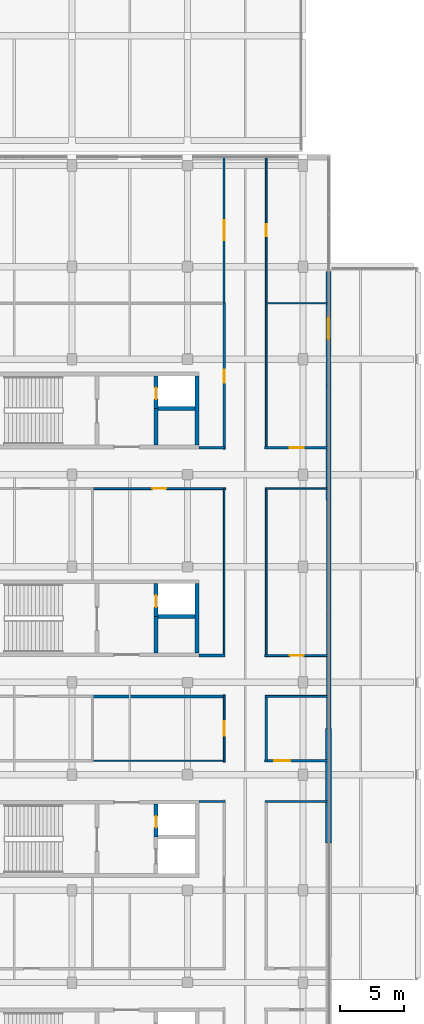
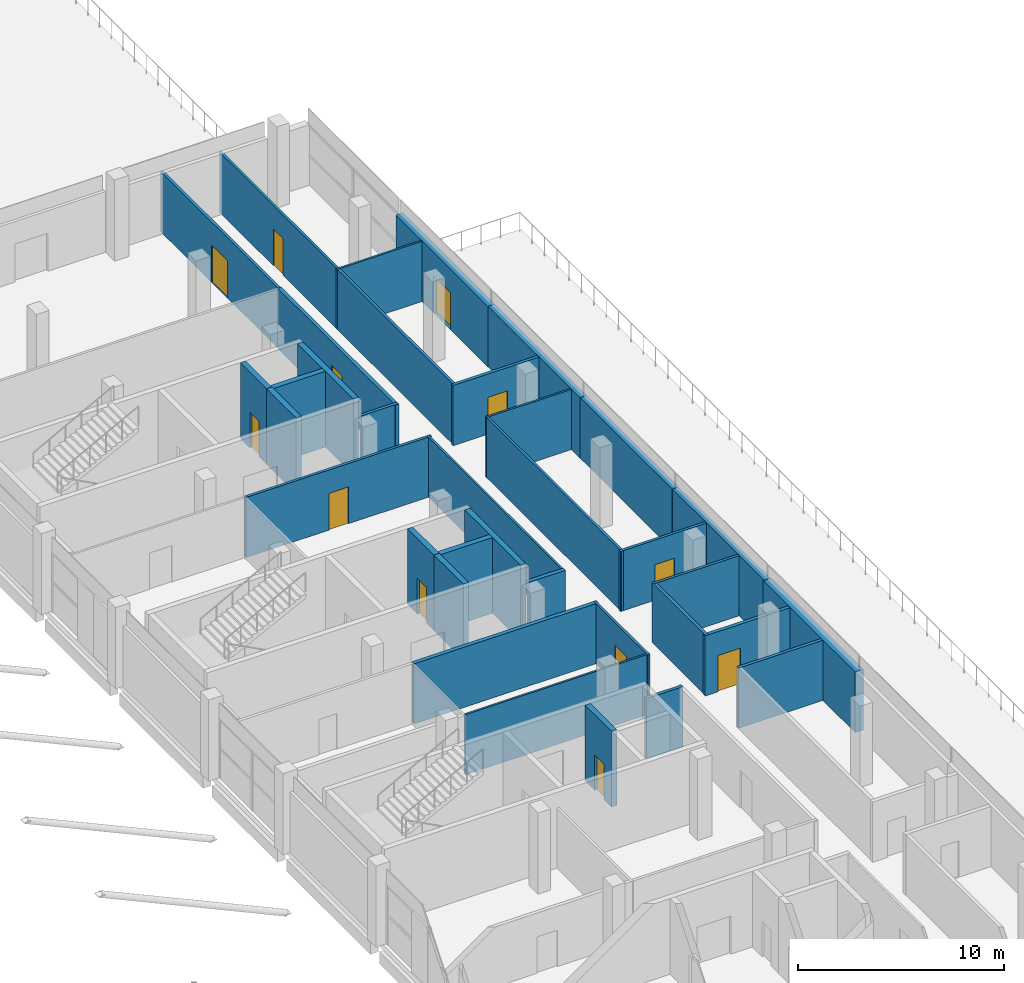
# One storey, part 57 of 82: 35 walls, 12 doors, 12 openings.
"""IFC4 building model written with IfcOpenShell, lengths in metres."""

from ifc_helpers import new_model, si_unit, direction, frame, frame_2d, origin, place, context, subcontext, project, spatial, rectangle, extrude, material, layer, layer_set, type_object, element, fill, save


model = new_model("IFC4")

# Units and contexts
model_context = context("Model", 3, precision=1e-05, world=origin(), true_north=direction((0.0, 1.0)))
body_context = subcontext(model_context, "Body", "Model", "MODEL_VIEW")
ifc_project = project(units=[si_unit("LENGTHUNIT", "METRE"), si_unit("AREAUNIT", "SQUARE_METRE"), si_unit("VOLUMEUNIT", "CUBIC_METRE"), si_unit("PLANEANGLEUNIT", "RADIAN"), si_unit("MASSUNIT", "GRAM", prefix="KILO"), si_unit("THERMODYNAMICTEMPERATUREUNIT", "KELVIN"), si_unit("POWERUNIT", "WATT")], contexts=[model_context])

# Site, building, storey
site_placement = place(None, origin())
site = spatial("IfcSite", under=ifc_project, at=site_placement, CompositionType="ELEMENT")
building_placement = place(site_placement, origin())
building = spatial("IfcBuilding", under=site, at=building_placement, Name="Sindhuravela Promenade Stadium", CompositionType="ELEMENT")
storey_placement = place(building_placement, frame((0.0, 0.0, 14.39990234375)))
storey = spatial("IfcBuildingStorey", under=building, at=storey_placement, Name="L03", CompositionType="ELEMENT", Elevation=14.39990234375)

# Walls
ifc_material_1 = material(Name="Terracotta clay brick masonry (15 MPa)", Category="masonry")
ifc_layer_1 = layer(ifc_material_1, 0.340087890625)
ifc_layer_set_1 = layer_set([ifc_layer_1], Name="Terracotta clay brick masonry (15 MPa)")
wall_type_1 = type_object("IfcWallType", Name="EX-WL-BRK340", PredefinedType="SOLIDWALL", material=ifc_layer_set_1)
wall_1_placement = place(storey_placement, frame((209.0, 89.909912109375, 0.0), z_axis=(0.0, 0.0, 1.0), x_axis=(0.0, -1.0, 0.0)))
element("IfcWall", 1, at=wall_1_placement, inside=storey, type_object=wall_type_1, Name="Exterior masonry wall EW06 EAST L03", PredefinedType="SOLIDWALL", context=body_context, shape_type="SweptSolid", body=[
    extrude(rectangle(XDim=8.909912109375, YDim=0.340087890625, at=frame_2d((4.455078125, 0.0))), origin(), (0.0, 0.0, 1.0), 3.580078125),
])
ifc_layer_2 = layer(ifc_material_1, 0.360107421875)
ifc_layer_set_2 = layer_set([ifc_layer_2], Name="Terracotta clay brick masonry (15 MPa)")
wall_type_2 = type_object("IfcWallType", Name="EX-WL-BRK360", PredefinedType="SOLIDWALL", material=ifc_layer_set_2)
wall_2_placement = place(storey_placement, frame((209.0, 98.820068359375, 0.0), z_axis=(0.0, 0.0, 1.0), x_axis=(0.0, -1.0, 0.0)))
element("IfcWall", 2, at=wall_2_placement, inside=storey, type_object=wall_type_2, Name="Exterior masonry wall EW05 EAST L03", PredefinedType="SOLIDWALL", context=body_context, shape_type="SweptSolid", body=[
    extrude(rectangle(XDim=8.91015625, YDim=0.360107421875, at=frame_2d((4.455078125, 0.0))), origin(), (0.0, 0.0, 1.0), 3.580078125),
])
ifc_layer_3 = layer(ifc_material_1, 0.3798828125)
ifc_layer_set_3 = layer_set([ifc_layer_3], Name="Terracotta clay brick masonry (15 MPa)")
wall_type_3 = type_object("IfcWallType", Name="EX-WL-BRK380", PredefinedType="SOLIDWALL", material=ifc_layer_set_3)
wall_3_placement = place(storey_placement, frame((209.0, 107.72998046875, 0.0), z_axis=(0.0, 0.0, 1.0), x_axis=(0.0, -1.0, 0.0)))
element("IfcWall", 3, at=wall_3_placement, inside=storey, type_object=wall_type_3, Name="Exterior masonry wall EW04 EAST L03", PredefinedType="SOLIDWALL", context=body_context, shape_type="SweptSolid", body=[
    extrude(rectangle(XDim=8.909912109375, YDim=0.3798828125, at=frame_2d((4.455078125, 0.0))), origin(), (0.0, 0.0, 1.0), 3.580078125),
])

# Wall, opening, door
ifc_layer_4 = layer(ifc_material_1, 0.39990234375)
ifc_layer_set_4 = layer_set([ifc_layer_4], Name="Terracotta clay brick masonry (15 MPa)")
wall_type_4 = type_object("IfcWallType", Name="EX-WL-BRK400", PredefinedType="SOLIDWALL", material=ifc_layer_set_4)
wall_4_placement = place(storey_placement, frame((209.0, 116.639892578125, 0.0), z_axis=(0.0, 0.0, 1.0), x_axis=(0.0, -1.0, 0.0)))
wall_4 = element("IfcWall", 4, at=wall_4_placement, inside=storey, type_object=wall_type_4, Name="Exterior masonry wall EW03 EAST L03", PredefinedType="SOLIDWALL", context=body_context, shape_type="SweptSolid", body=[
    extrude(rectangle(XDim=8.909912109375, YDim=0.39990234375, at=frame_2d((4.455078125, 0.0))), origin(), (0.0, 0.0, 1.0), 3.580078125),
])
opening_1_placement = place(wall_4_placement, frame((3.6298828125, 0.0, 0.0)))
opening_1 = element("IfcOpeningElement", 5, at=opening_1_placement, cuts=wall_4, Name="Opening TD03", PredefinedType="OPENING", context=body_context, shape_type="SweptSolid", body=[
    extrude(rectangle(XDim=1.64990234375, YDim=2.199951171875, at=frame_2d((0.824951171875, 1.10009765625))), frame((0.0, 0.2099609375, 0.0), z_axis=(0.0, -1.0, 0.0), x_axis=(1.0, 0.0, 0.0)), (0.0, 0.0, 1.0), 0.419921875),
])
ifc_material_2 = material(Name="Anodised architectural aluminium 6063-T6", Category="aluminium")
door_type_1 = type_object("IfcDoorType", Name="DR-TER-1650x2200", OperationType="DOUBLE_DOOR_SINGLE_SWING", PredefinedType="DOOR", material=ifc_material_2)
door_1_placement = place(opening_1_placement, origin())
door_1 = element("IfcDoor", 6, at=door_1_placement, inside=storey, type_object=door_type_1, Name="Terrace access door East Promenade Planted Roof Garden", OperationType="DOUBLE_DOOR_SINGLE_SWING", OverallHeight=2.199951171875, OverallWidth=1.64990234375, PredefinedType="DOOR", context=body_context, shape_type="SweptSolid", body=[
    extrude(rectangle(XDim=1.64990234375, YDim=2.199951171875, at=frame_2d((0.824951171875, 1.10009765625))), frame((0.0, 0.02490234375, 0.0), z_axis=(0.0, -1.0, 0.0), x_axis=(1.0, 0.0, 0.0)), (0.0, 0.0, 1.0), 0.050048828125),
])
fill(opening_1, door_1)

# Walls
ifc_layer_5 = layer(ifc_material_1, 0.4599609375)
ifc_layer_set_5 = layer_set([ifc_layer_5], Name="Terracotta clay brick masonry (15 MPa)")
wall_type_5 = type_object("IfcWallType", Name="EX-WL-BRK460", PredefinedType="SOLIDWALL", material=ifc_layer_set_5)
wall_5_placement = place(storey_placement, frame((209.0, 81.0, 0.0), z_axis=(0.0, 0.0, 1.0), x_axis=(0.0, -1.0, 0.0)))
element("IfcWall", 7, at=wall_5_placement, inside=storey, type_object=wall_type_5, Name="Exterior masonry wall EW01 EAST L03", PredefinedType="SOLIDWALL", context=body_context, shape_type="SweptSolid", body=[
    extrude(rectangle(XDim=8.909912109375, YDim=0.4599609375, at=frame_2d((4.455078125, 0.0))), origin(), (0.0, 0.0, 1.0), 3.580078125),
])
ifc_material_3 = material(Name="Fire-rated gypsum partition board", Category="gypsum")
ifc_layer_6 = layer(ifc_material_3, 0.110107421875)
ifc_layer_set_6 = layer_set([ifc_layer_6], Name="Fire-rated gypsum partition board")
wall_type_6 = type_object("IfcWallType", Name="IN-WL-PAR110", PredefinedType="PARTITIONING", material=ifc_layer_set_6)
wall_6_placement = place(storey_placement, frame((200.860107421875, 99.7900390625, 0.0), z_axis=(0.0, 0.0, 1.0), x_axis=(0.0, -1.0, 0.0)))
element("IfcWall", 8, at=wall_6_placement, inside=storey, type_object=wall_type_6, Name="Interior partition IW06 EAST L03", PredefinedType="PARTITIONING", context=body_context, shape_type="SweptSolid", body=[
    extrude(rectangle(XDim=13.179931640625, YDim=0.110107421875, at=frame_2d((6.58984375, 0.0))), origin(), (0.0, 0.0, 1.0), 3.56005859375),
])
for number, where, z_axis, x_axis, name in (
    (9, (204.06005859375, 99.7099609375, 0.0), (0.0, 0.0, 1.0), (1.0, 0.0, 0.0), "Interior partition IW06 EAST L03"),
    (10, (208.9599609375, 114.159912109375, 0.0), (0.0, 0.0, 1.0), (-1.0, 0.0, 0.0), "Interior partition IW06 EAST L03"),
):
    element("IfcWall", number, at=place(storey_placement, frame(where, z_axis=z_axis, x_axis=x_axis)), inside=storey, type_object=wall_type_6, Name=name, PredefinedType="PARTITIONING", context=body_context, shape_type="SweptSolid", body=[
        extrude(rectangle(XDim=4.89990234375, YDim=0.110107421875, at=frame_2d((2.449951171875, 0.0))), origin(), (0.0, 0.0, 1.0), 3.56005859375),
    ])
wall_7_placement = place(storey_placement, frame((200.93994140625, 78.489990234375, 0.0), z_axis=(0.0, 0.0, 1.0), x_axis=(-1.0, 0.0, 0.0)))
element("IfcWall", 11, at=wall_7_placement, inside=storey, type_object=wall_type_6, Name="Interior partition IW06 EAST L03", PredefinedType="PARTITIONING", context=body_context, shape_type="SweptSolid", body=[
    extrude(rectangle(XDim=10.31005859375, YDim=0.110107421875, at=frame_2d((5.155029296875, 0.0))), origin(), (0.0, 0.0, 1.0), 3.56005859375),
])
ifc_layer_7 = layer(ifc_material_3, 0.1298828125)
ifc_layer_set_7 = layer_set([ifc_layer_7], Name="Fire-rated gypsum partition board")
wall_type_7 = type_object("IfcWallType", Name="IN-WL-PAR130", PredefinedType="PARTITIONING", material=ifc_layer_set_7)
wall_8_placement = place(storey_placement, frame((204.139892578125, 86.610107421875, 0.0), z_axis=(0.0, 0.0, 1.0), x_axis=(0.0, 1.0, 0.0)))
element("IfcWall", 12, at=wall_8_placement, inside=storey, type_object=wall_type_7, Name="Interior partition IW05 EAST L03", PredefinedType="PARTITIONING", context=body_context, shape_type="SweptSolid", body=[
    extrude(rectangle(XDim=13.179931640625, YDim=0.1298828125, at=frame_2d((6.58984375, 0.0))), origin(), (0.0, 0.0, 1.0), 3.56005859375),
])

# Wall, opening, door
wall_9_placement = place(storey_placement, frame((204.139892578125, 125.550048828125, 0.0), z_axis=(0.0, 0.0, 1.0), x_axis=(0.0, -1.0, 0.0)))
wall_9 = element("IfcWall", 13, at=wall_9_placement, inside=storey, type_object=wall_type_7, Name="Corridor partition IW05 Hospitality Reception Foyer 6", PredefinedType="PARTITIONING", context=body_context, shape_type="SweptSolid", body=[
    extrude(rectangle(XDim=11.39013671875, YDim=0.1298828125, at=frame_2d((5.695068359375, 0.0))), origin(), (0.0, 0.0, 1.0), 3.56005859375),
])
opening_2_placement = place(wall_9_placement, frame((5.219970703125, 0.0, 0.0)))
opening_2 = element("IfcOpeningElement", 14, at=opening_2_placement, cuts=wall_9, Name="Opening ID10", PredefinedType="OPENING", context=body_context, shape_type="SweptSolid", body=[
    extrude(rectangle(XDim=0.949951171875, YDim=2.179931640625, at=frame_2d((0.47509765625, 1.08984375))), frame((0.0, 0.074951171875, 0.0), z_axis=(0.0, -1.0, 0.0), x_axis=(1.0, 0.0, 0.0)), (0.0, 0.0, 1.0), 0.14990234375),
])
ifc_material_4 = material(Name="Architectural teak timber leaf", Category="wood")
door_type_2 = type_object("IfcDoorType", Name="DR-INT-950x2180", OperationType="NOTDEFINED", PredefinedType="DOOR", material=ifc_material_4)
door_2_placement = place(opening_2_placement, origin())
door_2 = element("IfcDoor", 15, at=door_2_placement, inside=storey, type_object=door_type_2, Name="Hospitality Reception Foyer 6 door", OperationType="SINGLE_SWING_RIGHT", OverallHeight=2.179931640625, OverallWidth=0.949951171875, PredefinedType="DOOR", context=body_context, shape_type="SweptSolid", body=[
    extrude(rectangle(XDim=0.949951171875, YDim=2.179931640625, at=frame_2d((0.47509765625, 1.08984375))), frame((0.0, 0.02490234375, 0.0), z_axis=(0.0, -1.0, 0.0), x_axis=(1.0, 0.0, 0.0)), (0.0, 0.0, 1.0), 0.050048828125),
])
fill(opening_2, door_2)

wall_10_placement = place(storey_placement, frame((200.860107421875, 78.3701171875, 0.0), z_axis=(0.0, 0.0, 1.0), x_axis=(0.0, 1.0, 0.0)))
wall_10 = element("IfcWall", 16, at=wall_10_placement, inside=storey, type_object=wall_type_7, Name="Corridor partition IW05 Hospitality Toilet Suite East L03 9", PredefinedType="PARTITIONING", context=body_context, shape_type="SweptSolid", body=[
    extrude(rectangle(XDim=5.259765625, YDim=0.1298828125, at=frame_2d((2.6298828125, 0.0))), origin(), (0.0, 0.0, 1.0), 3.56005859375),
])
opening_3_placement = place(wall_10_placement, frame((2.070068359375, 0.0, 0.0)))
opening_3 = element("IfcOpeningElement", 17, at=opening_3_placement, cuts=wall_10, Name="Opening ID13", PredefinedType="OPENING", context=body_context, shape_type="SweptSolid", body=[
    extrude(rectangle(XDim=1.1201171875, YDim=2.219970703125, at=frame_2d((0.56005859375, 1.10986328125))), frame((0.0, 0.074951171875, 0.0), z_axis=(0.0, -1.0, 0.0), x_axis=(1.0, 0.0, 0.0)), (0.0, 0.0, 1.0), 0.14990234375),
])
door_type_3 = type_object("IfcDoorType", Name="DR-INT-1120x2220", OperationType="NOTDEFINED", PredefinedType="DOOR", material=ifc_material_4)
door_3_placement = place(opening_3_placement, origin())
door_3 = element("IfcDoor", 18, at=door_3_placement, inside=storey, type_object=door_type_3, Name="Hospitality Toilet Suite East L03 9 door", OperationType="SINGLE_SWING_LEFT", OverallHeight=2.219970703125, OverallWidth=1.1201171875, PredefinedType="DOOR", context=body_context, shape_type="SweptSolid", body=[
    extrude(rectangle(XDim=1.1201171875, YDim=2.219970703125, at=frame_2d((0.56005859375, 1.10986328125))), frame((0.0, 0.02490234375, 0.0), z_axis=(0.0, -1.0, 0.0), x_axis=(1.0, 0.0, 0.0)), (0.0, 0.0, 1.0), 0.050048828125),
])
fill(opening_3, door_3)

ifc_layer_8 = layer(ifc_material_3, 0.14990234375)
ifc_layer_set_8 = layer_set([ifc_layer_8], Name="Fire-rated gypsum partition board")
wall_type_8 = type_object("IfcWallType", Name="IN-WL-PAR150", PredefinedType="PARTITIONING", material=ifc_layer_set_8)
wall_11_placement = place(storey_placement, frame((200.860107421875, 114.159912109375, 0.0), z_axis=(0.0, 0.0, 1.0), x_axis=(0.0, 1.0, 0.0)))
wall_11 = element("IfcWall", 19, at=wall_11_placement, inside=storey, type_object=wall_type_8, Name="Corridor partition IW04 Executive Hospitality Suite E01", PredefinedType="PARTITIONING", context=body_context, shape_type="SweptSolid", body=[
    extrude(rectangle(XDim=11.39013671875, YDim=0.14990234375, at=frame_2d((5.695068359375, 0.0))), origin(), (0.0, 0.0, 1.0), 3.56005859375),
])
opening_4_placement = place(wall_11_placement, frame((4.919921875, 0.0, 0.0)))
opening_4 = element("IfcOpeningElement", 20, at=opening_4_placement, cuts=wall_11, Name="Opening ID02", PredefinedType="OPENING", context=body_context, shape_type="SweptSolid", body=[
    extrude(rectangle(XDim=1.550048828125, YDim=2.199951171875, at=frame_2d((0.77490234375, 1.10009765625))), frame((0.0, 0.0849609375, 0.0), z_axis=(0.0, -1.0, 0.0), x_axis=(1.0, 0.0, 0.0)), (0.0, 0.0, 1.0), 0.169921875),
])
door_type_4 = type_object("IfcDoorType", Name="DR-INT-1550x2200", OperationType="DOUBLE_DOOR_SINGLE_SWING", PredefinedType="DOOR", material=ifc_material_4)
door_4_placement = place(opening_4_placement, origin())
door_4 = element("IfcDoor", 21, at=door_4_placement, inside=storey, type_object=door_type_4, Name="Executive Hospitality Suite E01 door", OperationType="DOUBLE_DOOR_SINGLE_SWING", OverallHeight=2.199951171875, OverallWidth=1.550048828125, PredefinedType="DOOR", context=body_context, shape_type="SweptSolid", body=[
    extrude(rectangle(XDim=1.550048828125, YDim=2.199951171875, at=frame_2d((0.77490234375, 1.10009765625))), frame((0.0, 0.02490234375, 0.0), z_axis=(0.0, -1.0, 0.0), x_axis=(1.0, 0.0, 0.0)), (0.0, 0.0, 1.0), 0.050048828125),
])
fill(opening_4, door_4)

wall_12_placement = place(storey_placement, frame((200.97998046875, 99.7099609375, 0.0), z_axis=(0.0, 0.0, 1.0), x_axis=(-1.0, 0.0, 0.0)))
wall_12 = element("IfcWall", 22, at=wall_12_placement, inside=storey, type_object=wall_type_8, Name="Corridor partition IW04 Hospitality Reception Foyer", PredefinedType="PARTITIONING", context=body_context, shape_type="SweptSolid", body=[
    extrude(rectangle(XDim=10.389892578125, YDim=0.14990234375, at=frame_2d((5.19482421875, 0.0))), origin(), (0.0, 0.0, 1.0), 3.56005859375),
])
opening_5_placement = place(wall_12_placement, frame((4.655029296875, 0.0, 0.0)))
opening_5 = element("IfcOpeningElement", 23, at=opening_5_placement, cuts=wall_12, Name="Opening ID12", PredefinedType="OPENING", context=body_context, shape_type="SweptSolid", body=[
    extrude(rectangle(XDim=1.080078125, YDim=2.179931640625, at=frame_2d((0.5400390625, 1.08984375))), frame((0.0, 0.0849609375, 0.0), z_axis=(0.0, -1.0, 0.0), x_axis=(1.0, 0.0, 0.0)), (0.0, 0.0, 1.0), 0.169921875),
])
door_type_5 = type_object("IfcDoorType", Name="DR-INT-1080x2180", OperationType="NOTDEFINED", PredefinedType="DOOR", material=ifc_material_4)
door_5_placement = place(opening_5_placement, origin())
door_5 = element("IfcDoor", 24, at=door_5_placement, inside=storey, type_object=door_type_5, Name="Hospitality Reception Foyer door", OperationType="SINGLE_SWING_RIGHT", OverallHeight=2.179931640625, OverallWidth=1.080078125, PredefinedType="DOOR", context=body_context, shape_type="SweptSolid", body=[
    extrude(rectangle(XDim=1.080078125, YDim=2.179931640625, at=frame_2d((0.5400390625, 1.08984375))), frame((0.0, 0.02490234375, 0.0), z_axis=(0.0, -1.0, 0.0), x_axis=(1.0, 0.0, 0.0)), (0.0, 0.0, 1.0), 0.050048828125),
])
fill(opening_5, door_5)

wall_13_placement = place(storey_placement, frame((204.02001953125, 86.68994140625, 0.0), z_axis=(0.0, 0.0, 1.0), x_axis=(1.0, 0.0, 0.0)))
wall_13 = element("IfcWall", 25, at=wall_13_placement, inside=storey, type_object=wall_type_8, Name="Corridor partition IW04 Parkview Hospitality Lounge East 2", PredefinedType="PARTITIONING", context=body_context, shape_type="SweptSolid", body=[
    extrude(rectangle(XDim=4.97998046875, YDim=0.14990234375, at=frame_2d((2.489990234375, 0.0))), origin(), (0.0, 0.0, 1.0), 3.56005859375),
])
opening_6_placement = place(wall_13_placement, frame((1.93994140625, 0.0, 0.0)))
opening_6 = element("IfcOpeningElement", 26, at=opening_6_placement, cuts=wall_13, Name="Opening ID06", PredefinedType="OPENING", context=body_context, shape_type="SweptSolid", body=[
    extrude(rectangle(XDim=1.10009765625, YDim=2.10009765625, at=frame_2d((0.550048828125, 1.050048828125))), frame((0.0, 0.0849609375, 0.0), z_axis=(0.0, -1.0, 0.0), x_axis=(1.0, 0.0, 0.0)), (0.0, 0.0, 1.0), 0.169921875),
])
door_type_6 = type_object("IfcDoorType", Name="DR-INT-1100x2100", OperationType="NOTDEFINED", PredefinedType="DOOR", material=ifc_material_4)
door_6_placement = place(opening_6_placement, origin())
door_6 = element("IfcDoor", 27, at=door_6_placement, inside=storey, type_object=door_type_6, Name="Parkview Hospitality Lounge East 2 door", OperationType="SINGLE_SWING_RIGHT", OverallHeight=2.10009765625, OverallWidth=1.10009765625, PredefinedType="DOOR", context=body_context, shape_type="SweptSolid", body=[
    extrude(rectangle(XDim=1.10009765625, YDim=2.10009765625, at=frame_2d((0.550048828125, 1.050048828125))), frame((0.0, 0.02490234375, 0.0), z_axis=(0.0, -1.0, 0.0), x_axis=(1.0, 0.0, 0.0)), (0.0, 0.0, 1.0), 0.050048828125),
])
fill(opening_6, door_6)

# Walls
wall_14_placement = place(storey_placement, frame((204.139892578125, 102.81005859375, 0.0), z_axis=(0.0, 0.0, 1.0), x_axis=(0.0, 1.0, 0.0)))
element("IfcWall", 28, at=wall_14_placement, inside=storey, type_object=wall_type_8, Name="Interior partition IW04 EAST L03", PredefinedType="PARTITIONING", context=body_context, shape_type="SweptSolid", body=[
    extrude(rectangle(XDim=11.31005859375, YDim=0.14990234375, at=frame_2d((5.655029296875, 0.0))), origin(), (0.0, 0.0, 1.0), 3.56005859375),
])
wall_15_placement = place(storey_placement, frame((204.06005859375, 83.510009765625, 0.0), z_axis=(0.0, 0.0, 1.0), x_axis=(1.0, 0.0, 0.0)))
element("IfcWall", 29, at=wall_15_placement, inside=storey, type_object=wall_type_8, Name="Interior partition IW04 EAST L03", PredefinedType="PARTITIONING", context=body_context, shape_type="SweptSolid", body=[
    extrude(rectangle(XDim=4.89990234375, YDim=0.14990234375, at=frame_2d((2.449951171875, 0.0))), origin(), (0.0, 0.0, 1.0), 3.56005859375),
])
ifc_layer_9 = layer(ifc_material_3, 0.175048828125)
ifc_layer_set_9 = layer_set([ifc_layer_9], Name="Fire-rated gypsum partition board")
wall_type_9 = type_object("IfcWallType", Name="IN-WL-PAR175", PredefinedType="PARTITIONING", material=ifc_layer_set_9)
for number, where, z_axis, x_axis, name in (
    (30, (200.93994140625, 102.889892578125, 0.0), (0.0, 0.0, 1.0), (-1.0, 0.0, 0.0), "Interior partition IW03 EAST L03"),
    (31, (198.902099609375, 75.31005859375, 0.0), (0.0, 0.0, 1.0), (1.0, 0.0, 0.0), "Interior partition IW03 EAST L03"),
):
    element("IfcWall", number, at=place(storey_placement, frame(where, z_axis=z_axis, x_axis=x_axis)), inside=storey, type_object=wall_type_9, Name=name, PredefinedType="PARTITIONING", context=body_context, shape_type="SweptSolid", body=[
        extrude(rectangle(XDim=2.037841796875, YDim=0.175048828125, at=frame_2d((1.01904296875, 0.0))), origin(), (0.0, 0.0, 1.0), 3.56005859375),
    ])
wall_16_placement = place(storey_placement, frame((204.06005859375, 75.31005859375, 0.0), z_axis=(0.0, 0.0, 1.0), x_axis=(1.0, 0.0, 0.0)))
element("IfcWall", 32, at=wall_16_placement, inside=storey, type_object=wall_type_9, Name="Interior partition IW03 EAST L03", PredefinedType="PARTITIONING", context=body_context, shape_type="SweptSolid", body=[
    extrude(rectangle(XDim=4.89990234375, YDim=0.175048828125, at=frame_2d((2.449951171875, 0.0))), origin(), (0.0, 0.0, 1.0), 3.56005859375),
])

# Wall, opening, door
wall_17_placement = place(storey_placement, frame((204.02001953125, 102.889892578125, 0.0), z_axis=(0.0, 0.0, 1.0), x_axis=(1.0, 0.0, 0.0)))
wall_17 = element("IfcWall", 33, at=wall_17_placement, inside=storey, type_object=wall_type_9, Name="Corridor partition IW03 Accessible WC East L03 8", PredefinedType="PARTITIONING", context=body_context, shape_type="SweptSolid", body=[
    extrude(rectangle(XDim=4.97998046875, YDim=0.175048828125, at=frame_2d((2.489990234375, 0.0))), origin(), (0.0, 0.0, 1.0), 3.56005859375),
])
opening_7_placement = place(wall_17_placement, frame((1.949951171875, 0.0, 0.0)))
opening_7 = element("IfcOpeningElement", 34, at=opening_7_placement, cuts=wall_17, Name="Opening ID12", PredefinedType="OPENING", context=body_context, shape_type="SweptSolid", body=[
    extrude(rectangle(XDim=1.080078125, YDim=2.179931640625, at=frame_2d((0.5400390625, 1.08984375))), frame((0.0, 0.097412109375, 0.0), z_axis=(0.0, -1.0, 0.0), x_axis=(1.0, 0.0, 0.0)), (0.0, 0.0, 1.0), 0.195068359375),
])
door_7_placement = place(opening_7_placement, origin())
door_7 = element("IfcDoor", 35, at=door_7_placement, inside=storey, type_object=door_type_5, Name="Accessible WC East L03 8 door", OperationType="SINGLE_SWING_RIGHT", OverallHeight=2.179931640625, OverallWidth=1.080078125, PredefinedType="DOOR", context=body_context, shape_type="SweptSolid", body=[
    extrude(rectangle(XDim=1.080078125, YDim=2.179931640625, at=frame_2d((0.5400390625, 1.08984375))), frame((0.0, 0.02490234375, 0.0), z_axis=(0.0, -1.0, 0.0), x_axis=(1.0, 0.0, 0.0)), (0.0, 0.0, 1.0), 0.050048828125),
])
fill(opening_7, door_7)

# Wall
wall_18_placement = place(storey_placement, frame((204.139892578125, 78.409912109375, 0.0), z_axis=(0.0, 0.0, 1.0), x_axis=(0.0, 1.0, 0.0)))
element("IfcWall", 36, at=wall_18_placement, inside=storey, type_object=wall_type_9, Name="Interior partition IW03 EAST L03", PredefinedType="PARTITIONING", context=body_context, shape_type="SweptSolid", body=[
    extrude(rectangle(XDim=5.18017578125, YDim=0.175048828125, at=frame_2d((2.590087890625, 0.0))), origin(), (0.0, 0.0, 1.0), 3.56005859375),
])

# Wall, opening, door
ifc_layer_10 = layer(ifc_material_3, 0.195068359375)
ifc_layer_set_10 = layer_set([ifc_layer_10], Name="Fire-rated gypsum partition board")
wall_type_10 = type_object("IfcWallType", Name="IN-WL-PAR195", PredefinedType="PARTITIONING", material=ifc_layer_set_10)
wall_19_placement = place(storey_placement, frame((200.860107421875, 102.77001953125, 0.0), z_axis=(0.0, 0.0, 1.0), x_axis=(0.0, 1.0, 0.0)))
wall_19 = element("IfcWall", 37, at=wall_19_placement, inside=storey, type_object=wall_type_10, Name="Corridor partition IW02 Corporate Dining Salon East", PredefinedType="PARTITIONING", context=body_context, shape_type="SweptSolid", body=[
    extrude(rectangle(XDim=11.389892578125, YDim=0.195068359375, at=frame_2d((5.69482421875, 0.0))), origin(), (0.0, 0.0, 1.0), 3.56005859375),
])
opening_8_placement = place(wall_19_placement, frame((5.18505859375, 0.0, 0.0)))
opening_8 = element("IfcOpeningElement", 38, at=opening_8_placement, cuts=wall_19, Name="Opening ID11", PredefinedType="OPENING", context=body_context, shape_type="SweptSolid", body=[
    extrude(rectangle(XDim=1.02001953125, YDim=2.159912109375, at=frame_2d((0.510009765625, 1.080078125))), frame((0.0, 0.107421875, 0.0), z_axis=(0.0, -1.0, 0.0), x_axis=(1.0, 0.0, 0.0)), (0.0, 0.0, 1.0), 0.215087890625),
])
door_type_7 = type_object("IfcDoorType", Name="DR-INT-1020x2160", OperationType="NOTDEFINED", PredefinedType="DOOR", material=ifc_material_4)
door_8_placement = place(opening_8_placement, origin())
door_8 = element("IfcDoor", 39, at=door_8_placement, inside=storey, type_object=door_type_7, Name="Corporate Dining Salon East door", OperationType="SINGLE_SWING_LEFT", OverallHeight=2.159912109375, OverallWidth=1.02001953125, PredefinedType="DOOR", context=body_context, shape_type="SweptSolid", body=[
    extrude(rectangle(XDim=1.02001953125, YDim=2.159912109375, at=frame_2d((0.510009765625, 1.080078125))), frame((0.0, 0.02490234375, 0.0), z_axis=(0.0, -1.0, 0.0), x_axis=(1.0, 0.0, 0.0)), (0.0, 0.0, 1.0), 0.050048828125),
])
fill(opening_8, door_8)

wall_20_placement = place(storey_placement, frame((204.02001953125, 78.489990234375, 0.0), z_axis=(0.0, 0.0, 1.0), x_axis=(1.0, 0.0, 0.0)))
wall_20 = element("IfcWall", 40, at=wall_20_placement, inside=storey, type_object=wall_type_10, Name="Corridor partition IW02 Parkview Hospitality Lounge East 10", PredefinedType="PARTITIONING", context=body_context, shape_type="SweptSolid", body=[
    extrude(rectangle(XDim=4.97998046875, YDim=0.195068359375, at=frame_2d((2.489990234375, 0.0))), origin(), (0.0, 0.0, 1.0), 3.56005859375),
])
opening_9_placement = place(wall_20_placement, frame((0.727294921875, 0.0, 0.0)))
opening_9 = element("IfcOpeningElement", 41, at=opening_9_placement, cuts=wall_20, Name="Opening ID04", PredefinedType="OPENING", context=body_context, shape_type="SweptSolid", body=[
    extrude(rectangle(XDim=1.25, YDim=2.14990234375, at=frame_2d((0.625, 1.074951171875))), frame((0.0, 0.107421875, 0.0), z_axis=(0.0, -1.0, 0.0), x_axis=(1.0, 0.0, 0.0)), (0.0, 0.0, 1.0), 0.215087890625),
])
door_type_8 = type_object("IfcDoorType", Name="DR-INT-1250x2150", OperationType="NOTDEFINED", PredefinedType="DOOR", material=ifc_material_4)
door_9_placement = place(opening_9_placement, origin())
door_9 = element("IfcDoor", 42, at=door_9_placement, inside=storey, type_object=door_type_8, Name="Parkview Hospitality Lounge East 10 door", OperationType="SINGLE_SWING_RIGHT", OverallHeight=2.14990234375, OverallWidth=1.25, PredefinedType="DOOR", context=body_context, shape_type="SweptSolid", body=[
    extrude(rectangle(XDim=1.25, YDim=2.14990234375, at=frame_2d((0.625, 1.074951171875))), frame((0.0, 0.02490234375, 0.0), z_axis=(0.0, -1.0, 0.0), x_axis=(1.0, 0.0, 0.0)), (0.0, 0.0, 1.0), 0.050048828125),
])
fill(opening_9, door_9)

# Walls
ifc_layer_11 = layer(ifc_material_3, 0.219970703125)
ifc_layer_set_11 = layer_set([ifc_layer_11], Name="Fire-rated gypsum partition board")
wall_type_11 = type_object("IfcWallType", Name="IN-WL-PAR220", PredefinedType="PARTITIONING", material=ifc_layer_set_11)
wall_21_placement = place(storey_placement, frame((200.93994140625, 86.68994140625, 0.0), z_axis=(0.0, 0.0, 1.0), x_axis=(-1.0, 0.0, 0.0)))
element("IfcWall", 43, at=wall_21_placement, inside=storey, type_object=wall_type_11, Name="Interior partition IW01 EAST L03", PredefinedType="PARTITIONING", context=body_context, shape_type="SweptSolid", body=[
    extrude(rectangle(XDim=2.037841796875, YDim=0.219970703125, at=frame_2d((1.01904296875, 0.0))), origin(), (0.0, 0.0, 1.0), 3.56005859375),
])
wall_22_placement = place(storey_placement, frame((190.6298828125, 83.510009765625, 0.0), z_axis=(0.0, 0.0, 1.0), x_axis=(1.0, 0.0, 0.0)))
element("IfcWall", 44, at=wall_22_placement, inside=storey, type_object=wall_type_11, Name="Interior partition IW01 EAST L03", PredefinedType="PARTITIONING", context=body_context, shape_type="SweptSolid", body=[
    extrude(rectangle(XDim=10.31005859375, YDim=0.219970703125, at=frame_2d((5.155029296875, 0.0))), origin(), (0.0, 0.0, 1.0), 3.56005859375),
])

# Wall, opening, door
ifc_material_5 = material(Name="Concrete M50", Category="concrete")
ifc_layer_12 = layer(ifc_material_5, 0.300048828125)
ifc_layer_set_12 = layer_set([ifc_layer_12], Name="Concrete M50")
wall_type_12 = type_object("IfcWallType", Name="RC-SW-300", PredefinedType="SHEAR", material=ifc_layer_set_12)
wall_23_placement = place(storey_placement, frame((195.550048828125, 72.550048828125, 0.0), z_axis=(0.0, 0.0, 1.0), x_axis=(0.0, 1.0, 0.0)))
wall_23 = element("IfcWall", 45, at=wall_23_placement, inside=storey, type_object=wall_type_12, Name="Core shear wall C06-RSR (L03)", PredefinedType="SHEAR", context=body_context, shape_type="SweptSolid", body=[
    extrude(rectangle(XDim=2.550048828125, YDim=0.300048828125, at=frame_2d((1.27490234375, 0.0))), origin(), (0.0, 0.0, 1.0), 4.47998046875),
])
opening_10_placement = place(wall_23_placement, frame((0.72509765625, 0.0, 0.0)))
opening_10 = element("IfcOpeningElement", 46, at=opening_10_placement, cuts=wall_23, Name="Opening FD03", PredefinedType="OPENING", context=body_context, shape_type="SweptSolid", body=[
    extrude(rectangle(XDim=0.89990234375, YDim=2.10009765625, at=frame_2d((0.449951171875, 1.050048828125))), frame((0.0, 0.159912109375, 0.0), z_axis=(0.0, -1.0, 0.0), x_axis=(1.0, 0.0, 0.0)), (0.0, 0.0, 1.0), 0.320068359375),
])
ifc_material_6 = material(Name="Architectural wrought steel E350", Category="steel")
door_type_9 = type_object("IfcDoorType", Name="DR-RSR-900x2100", OperationType="NOTDEFINED", PredefinedType="DOOR", material=ifc_material_6)
door_10_placement = place(opening_10_placement, origin())
door_10 = element("IfcDoor", 47, at=door_10_placement, inside=storey, type_object=door_type_9, Name="Riser shaft access door C06 (L03)", OperationType="SINGLE_SWING_RIGHT", OverallHeight=2.10009765625, OverallWidth=0.89990234375, PredefinedType="DOOR", context=body_context, shape_type="SweptSolid", body=[
    extrude(rectangle(XDim=0.89990234375, YDim=2.10009765625, at=frame_2d((0.449951171875, 1.050048828125))), frame((0.0, 0.02490234375, 0.0), z_axis=(0.0, -1.0, 0.0), x_axis=(1.0, 0.0, 0.0)), (0.0, 0.0, 1.0), 0.050048828125),
])
fill(opening_10, door_10)

# Walls
wall_24_placement = place(storey_placement, frame((198.75, 86.89990234375, 0.0), z_axis=(0.0, 0.0, 1.0), x_axis=(0.0, 1.0, 0.0)))
element("IfcWall", 48, at=wall_24_placement, inside=storey, type_object=wall_type_12, Name="Core shear wall C07-E (L03)", PredefinedType="SHEAR", context=body_context, shape_type="SweptSolid", body=[
    extrude(rectangle(XDim=5.400146484375, YDim=0.300048828125, at=frame_2d((2.7001953125, 0.0))), origin(), (0.0, 0.0, 1.0), 4.47998046875),
])
wall_25_placement = place(storey_placement, frame((195.550048828125, 86.89990234375, 0.0), z_axis=(0.0, 0.0, 1.0), x_axis=(0.0, 1.0, 0.0)))
element("IfcWall", 49, at=wall_25_placement, inside=storey, type_object=wall_type_12, Name="Core shear wall C07-LFT (L03)", PredefinedType="SHEAR", context=body_context, shape_type="SweptSolid", body=[
    extrude(rectangle(XDim=2.85009765625, YDim=0.300048828125, at=frame_2d((1.425048828125, 0.0))), origin(), (0.0, 0.0, 1.0), 4.47998046875),
])

# Wall, opening, door
wall_26_placement = place(storey_placement, frame((195.550048828125, 89.75, 0.0), z_axis=(0.0, 0.0, 1.0), x_axis=(0.0, 1.0, 0.0)))
wall_26 = element("IfcWall", 50, at=wall_26_placement, inside=storey, type_object=wall_type_12, Name="Core shear wall C07-RSR (L03)", PredefinedType="SHEAR", context=body_context, shape_type="SweptSolid", body=[
    extrude(rectangle(XDim=2.550048828125, YDim=0.300048828125, at=frame_2d((1.27490234375, 0.0))), origin(), (0.0, 0.0, 1.0), 4.47998046875),
])
opening_11_placement = place(wall_26_placement, frame((0.72509765625, 0.0, 0.0)))
opening_11 = element("IfcOpeningElement", 51, at=opening_11_placement, cuts=wall_26, Name="Opening FD03", PredefinedType="OPENING", context=body_context, shape_type="SweptSolid", body=[
    extrude(rectangle(XDim=0.89990234375, YDim=2.10009765625, at=frame_2d((0.449951171875, 1.050048828125))), frame((0.0, 0.159912109375, 0.0), z_axis=(0.0, -1.0, 0.0), x_axis=(1.0, 0.0, 0.0)), (0.0, 0.0, 1.0), 0.320068359375),
])
door_11_placement = place(opening_11_placement, origin())
door_11 = element("IfcDoor", 52, at=door_11_placement, inside=storey, type_object=door_type_9, Name="Riser shaft access door C07 (L03)", OperationType="SINGLE_SWING_RIGHT", OverallHeight=2.10009765625, OverallWidth=0.89990234375, PredefinedType="DOOR", context=body_context, shape_type="SweptSolid", body=[
    extrude(rectangle(XDim=0.89990234375, YDim=2.10009765625, at=frame_2d((0.449951171875, 1.050048828125))), frame((0.0, 0.02490234375, 0.0), z_axis=(0.0, -1.0, 0.0), x_axis=(1.0, 0.0, 0.0)), (0.0, 0.0, 1.0), 0.050048828125),
])
fill(opening_11, door_11)

# Walls
wall_27_placement = place(storey_placement, frame((195.699951171875, 89.75, 0.0), z_axis=(0.0, 0.0, 1.0), x_axis=(1.0, 0.0, 0.0)))
element("IfcWall", 53, at=wall_27_placement, inside=storey, type_object=wall_type_12, Name="Core shear wall C07-DIV (L03)", PredefinedType="SHEAR", context=body_context, shape_type="SweptSolid", body=[
    extrude(rectangle(XDim=2.900146484375, YDim=0.300048828125, at=frame_2d((1.4501953125, 0.0))), origin(), (0.0, 0.0, 1.0), 4.47998046875),
])
wall_28_placement = place(storey_placement, frame((198.75, 103.10009765625, 0.0), z_axis=(0.0, 0.0, 1.0), x_axis=(0.0, 1.0, 0.0)))
element("IfcWall", 54, at=wall_28_placement, inside=storey, type_object=wall_type_12, Name="Core shear wall C08-E (L03)", PredefinedType="SHEAR", context=body_context, shape_type="SweptSolid", body=[
    extrude(rectangle(XDim=5.39990234375, YDim=0.300048828125, at=frame_2d((2.699951171875, 0.0))), origin(), (0.0, 0.0, 1.0), 4.47998046875),
])
wall_29_placement = place(storey_placement, frame((195.550048828125, 103.10009765625, 0.0), z_axis=(0.0, 0.0, 1.0), x_axis=(0.0, 1.0, 0.0)))
element("IfcWall", 55, at=wall_29_placement, inside=storey, type_object=wall_type_12, Name="Core shear wall C08-LFT (L03)", PredefinedType="SHEAR", context=body_context, shape_type="SweptSolid", body=[
    extrude(rectangle(XDim=2.849853515625, YDim=0.300048828125, at=frame_2d((1.4248046875, 0.0))), origin(), (0.0, 0.0, 1.0), 4.47998046875),
])

# Wall, opening, door
wall_30_placement = place(storey_placement, frame((195.550048828125, 105.949951171875, 0.0), z_axis=(0.0, 0.0, 1.0), x_axis=(0.0, 1.0, 0.0)))
wall_30 = element("IfcWall", 56, at=wall_30_placement, inside=storey, type_object=wall_type_12, Name="Core shear wall C08-RSR (L03)", PredefinedType="SHEAR", context=body_context, shape_type="SweptSolid", body=[
    extrude(rectangle(XDim=2.550048828125, YDim=0.300048828125, at=frame_2d((1.27490234375, 0.0))), origin(), (0.0, 0.0, 1.0), 4.47998046875),
])
opening_12_placement = place(wall_30_placement, frame((0.72509765625, 0.0, 0.0)))
opening_12 = element("IfcOpeningElement", 57, at=opening_12_placement, cuts=wall_30, Name="Opening FD03", PredefinedType="OPENING", context=body_context, shape_type="SweptSolid", body=[
    extrude(rectangle(XDim=0.89990234375, YDim=2.10009765625, at=frame_2d((0.449951171875, 1.050048828125))), frame((0.0, 0.159912109375, 0.0), z_axis=(0.0, -1.0, 0.0), x_axis=(1.0, 0.0, 0.0)), (0.0, 0.0, 1.0), 0.320068359375),
])
door_12_placement = place(opening_12_placement, origin())
door_12 = element("IfcDoor", 58, at=door_12_placement, inside=storey, type_object=door_type_9, Name="Riser shaft access door C08 (L03)", OperationType="SINGLE_SWING_RIGHT", OverallHeight=2.10009765625, OverallWidth=0.89990234375, PredefinedType="DOOR", context=body_context, shape_type="SweptSolid", body=[
    extrude(rectangle(XDim=0.89990234375, YDim=2.10009765625, at=frame_2d((0.449951171875, 1.050048828125))), frame((0.0, 0.02490234375, 0.0), z_axis=(0.0, -1.0, 0.0), x_axis=(1.0, 0.0, 0.0)), (0.0, 0.0, 1.0), 0.050048828125),
])
fill(opening_12, door_12)

# Wall
wall_31_placement = place(storey_placement, frame((195.699951171875, 105.949951171875, 0.0), z_axis=(0.0, 0.0, 1.0), x_axis=(1.0, 0.0, 0.0)))
element("IfcWall", 59, at=wall_31_placement, inside=storey, type_object=wall_type_12, Name="Core shear wall C08-DIV (L03)", PredefinedType="SHEAR", context=body_context, shape_type="SweptSolid", body=[
    extrude(rectangle(XDim=2.900146484375, YDim=0.300048828125, at=frame_2d((1.4501953125, 0.0))), origin(), (0.0, 0.0, 1.0), 4.47998046875),
])

save(model, "model.ifc")
